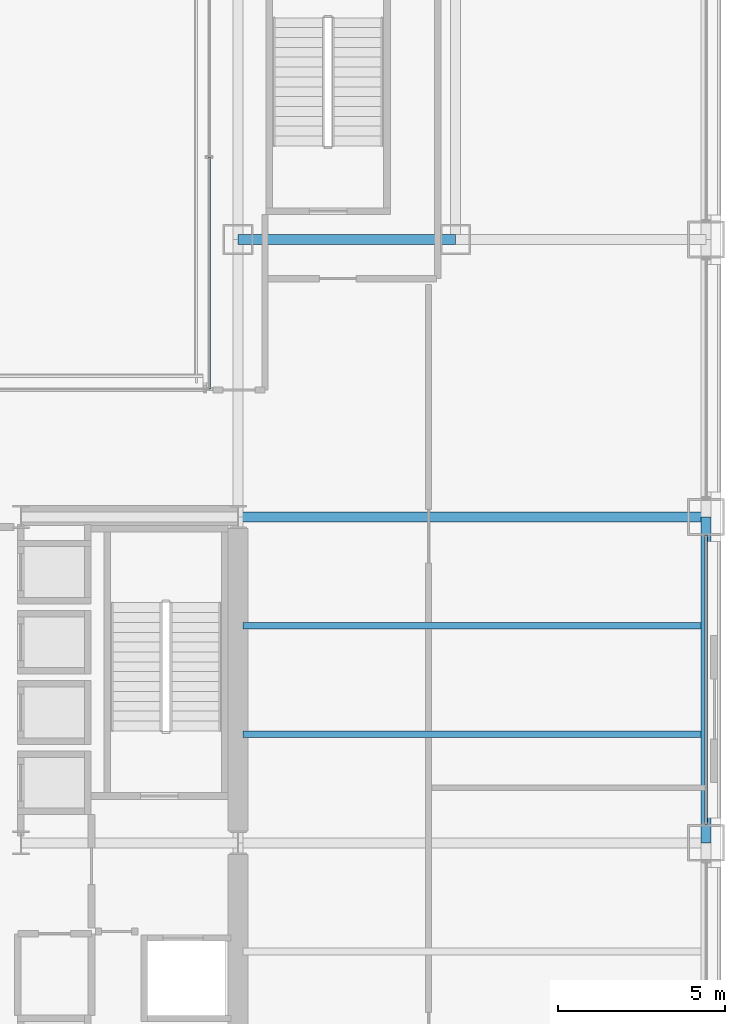
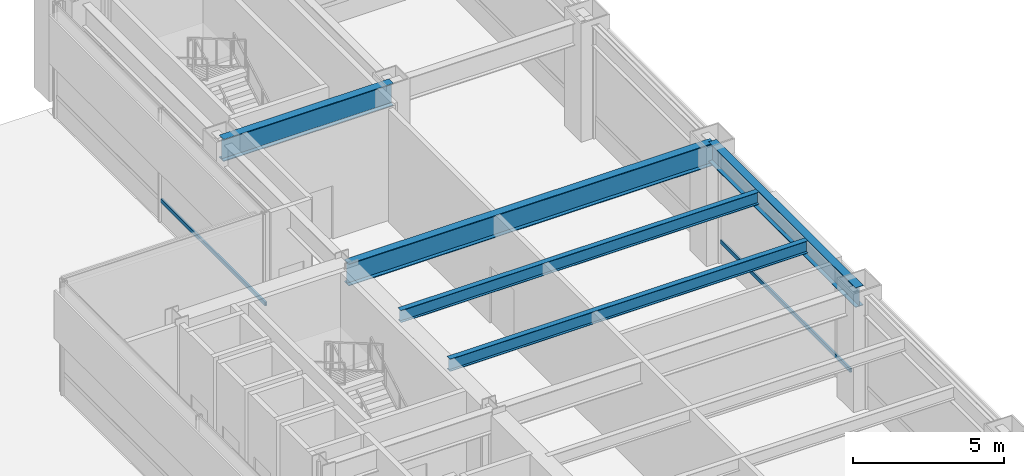
# One storey, part 18 of 37: 5 beams, 2 members, 2 elements without a shape of their own.
"""IFC4 building model written with IfcOpenShell, lengths in metres."""

from ifc_helpers import new_model, si_unit, direction, frame, origin, origin_2d, place, context, subcontext, project, spatial, hollow_rectangle, i_section, extrude, material, layer, layer_set, material_profile, profile_set, type_object, element, aggregate, save


model = new_model("IFC4")

# Units and contexts
model_context = context("Model", 3, precision=1e-05, world=origin(), true_north=direction((0.0, 1.0)))
body_context = subcontext(model_context, "Body", "Model", "MODEL_VIEW")
ifc_project = project(units=[si_unit("LENGTHUNIT", "METRE"), si_unit("AREAUNIT", "SQUARE_METRE"), si_unit("VOLUMEUNIT", "CUBIC_METRE"), si_unit("PLANEANGLEUNIT", "RADIAN"), si_unit("MASSUNIT", "GRAM", prefix="KILO")], contexts=[model_context])

# Site, building, storey
site_placement = place(None, origin())
site = spatial("IfcSite", under=ifc_project, at=site_placement, CompositionType="ELEMENT")
building_placement = place(site_placement, origin())
building = spatial("IfcBuilding", under=site, at=building_placement, Name="Brelmoor Portico Tower", CompositionType="ELEMENT")
storey_placement = place(building_placement, origin())
storey = spatial("IfcBuildingStorey", under=building, at=storey_placement, Name="L00", CompositionType="ELEMENT", Elevation=0.0)

# Beams
ifc_material_1 = material(Name="Steel Q355B", Category="steel")
ifc_material_profile_1 = material_profile(ifc_material_1, i_section(OverallWidth=0.199951171875, OverallDepth=0.5, WebThickness=0.010009765625, FlangeThickness=0.01611328125, at=origin_2d()), Name="HN 500x200x10x16")
ifc_profile_set_1 = profile_set([ifc_material_profile_1], Name="Steel Q355B")
beam_type_1 = type_object("IfcBeamType", Name="BM-JS-500", PredefinedType="JOIST", material=ifc_profile_set_1)
for number, where, z_axis, x_axis, name in (
    (1, (14.699951171875, 3.25, 4.330078125), (1.0, 0.0, 0.0), (0.0, 1.0, 0.0), "L00 Secondary Wing Joist JS-E04"),
    (2, (14.699951171875, 6.5, 4.330078125), (1.0, 0.0, 0.0), (0.0, 1.0, 0.0), "L00 Secondary Wing Joist JS-E05"),
):
    element("IfcBeam", number, at=place(storey_placement, frame(where, z_axis=z_axis, x_axis=x_axis)), inside=storey, type_object=beam_type_1, Name=name, PredefinedType="JOIST", context=body_context, shape_type="SweptSolid", body=[
        extrude(i_section(OverallWidth=0.199951171875, OverallDepth=0.5, WebThickness=0.010009765625, FlangeThickness=0.01611328125, at=origin_2d()), origin(), (0.0, 0.0, 1.0), 13.699951171875),
    ])
ifc_material_profile_2 = material_profile(ifc_material_1, i_section(OverallWidth=0.300048828125, OverallDepth=0.89990234375, WebThickness=0.01611328125, FlangeThickness=0.028076171875, at=origin_2d()), Name="HN 900x300x16x28")
ifc_profile_set_2 = profile_set([ifc_material_profile_2], Name="Steel Q355B")
beam_type_2 = type_object("IfcBeamType", Name="BM-PG-900", PredefinedType="BEAM", material=ifc_profile_set_2)
beam_1_placement = place(storey_placement, frame((14.550048828125, 9.75, 4.1298828125), z_axis=(1.0, 0.0, 0.0), x_axis=(0.0, 1.0, 0.0)))
element("IfcBeam", 3, at=beam_1_placement, inside=storey, type_object=beam_type_2, Name="L00 Primary Floor Girder PG-34", PredefinedType="BEAM", context=body_context, shape_type="SweptSolid", body=[
    extrude(i_section(OverallWidth=0.300048828125, OverallDepth=0.89990234375, WebThickness=0.01611328125, FlangeThickness=0.028076171875, at=origin_2d()), origin(), (0.0, 0.0, 1.0), 14.0),
])
beam_2_placement = place(storey_placement, frame((14.550048828125, 18.050048828125, 4.1298828125), z_axis=(1.0, 0.0, 0.0), x_axis=(0.0, 1.0, 0.0)))
element("IfcBeam", 4, at=beam_2_placement, inside=storey, type_object=beam_type_2, Name="L00 Primary Floor Girder PG-36", PredefinedType="BEAM", context=body_context, shape_type="SweptSolid", body=[
    extrude(i_section(OverallWidth=0.300048828125, OverallDepth=0.89990234375, WebThickness=0.01611328125, FlangeThickness=0.028076171875, at=origin_2d()), origin(), (0.0, 0.0, 1.0), 6.5),
])
ifc_material_profile_3 = material_profile(ifc_material_1, i_section(OverallWidth=0.300048828125, OverallDepth=0.800048828125, WebThickness=0.013916015625, FlangeThickness=0.02587890625, at=origin_2d()), Name="HN 800x300x14x26")
ifc_profile_set_3 = profile_set([ifc_material_profile_3], Name="Steel Q355B")
beam_type_3 = type_object("IfcBeamType", Name="BM-SP-800", PredefinedType="SPANDREL", material=ifc_profile_set_3)
beam_3_placement = place(storey_placement, frame((28.550048828125, 0.0, 4.179931640625), z_axis=(0.0, 1.0, 0.0), x_axis=(-1.0, 0.0, 0.0)))
element("IfcBeam", 5, at=beam_3_placement, inside=storey, type_object=beam_type_3, Name="L00 Perimeter Spandrel Beam SP-18", PredefinedType="SPANDREL", context=body_context, shape_type="SweptSolid", body=[
    extrude(i_section(OverallWidth=0.300048828125, OverallDepth=0.800048828125, WebThickness=0.013916015625, FlangeThickness=0.02587890625, at=origin_2d()), origin(), (0.0, 0.0, 1.0), 9.75),
])

# Curtain wall, member
ifc_material_2 = material(Name="Anodised Aluminium Alloy 6063-T6", Category="aluminium")
ifc_layer = layer(ifc_material_2, 0.179931640625)
ifc_layer_set = layer_set([ifc_layer], Name="Anodised Aluminium Alloy 6063-T6")
curtain_wall_type = type_object("IfcCurtainWallType", Name="CW-PODIUM-ARCH", PredefinedType="NOTDEFINED", material=ifc_layer_set)
curtain_wall_1_placement = place(storey_placement, origin())
curtain_wall_1 = element("IfcCurtainWall", 6, at=curtain_wall_1_placement, inside=storey, type_object=curtain_wall_type, Name="L00 Curtain Wall CW-L00-06-4", PredefinedType="NOTDEFINED")
ifc_material_profile_4 = material_profile(ifc_material_2, hollow_rectangle(XDim=0.070068359375, YDim=0.159912109375, WallThickness=0.00390625, at=origin_2d()), Name="ALU TRANSOM 70x160")
ifc_profile_set_4 = profile_set([ifc_material_profile_4], Name="Anodised Aluminium Alloy 6063-T6")
member_type = type_object("IfcMemberType", Name="MB-CW-TRAN-160", PredefinedType="USERDEFINED", material=ifc_profile_set_4)
member_1_placement = place(storey_placement, frame((28.550048828125, 0.56005859375, 0.85009765625), z_axis=(0.0, 1.0, 0.0), x_axis=(-1.0, 0.0, 0.0)))
member_1 = element("IfcMember", 7, at=member_1_placement, type_object=member_type, Name="CW-L00-06-4 Transom 1-00", ObjectType="TRANSOM", PredefinedType="USERDEFINED", context=body_context, shape_type="SweptSolid", body=[
    extrude(hollow_rectangle(XDim=0.070068359375, YDim=0.159912109375, WallThickness=0.00390625, at=origin_2d()), origin(), (0.0, 0.0, 1.0), 8.6298828125),
])
aggregate(curtain_wall_1, [member_1])

curtain_wall_2_placement = place(storey_placement, origin())
curtain_wall_2 = element("IfcCurtainWall", 8, at=curtain_wall_2_placement, inside=storey, type_object=curtain_wall_type, Name="L00 Curtain Wall CW-L00-10", PredefinedType="NOTDEFINED")
member_2_placement = place(storey_placement, frame((13.679931640625, 13.580078125, 0.85009765625), z_axis=(0.0, 1.0, 0.0), x_axis=(-1.0, 0.0, 0.0)))
member_2 = element("IfcMember", 9, at=member_2_placement, type_object=member_type, Name="CW-L00-10 Transom 1-00", ObjectType="TRANSOM", PredefinedType="USERDEFINED", context=body_context, shape_type="SweptSolid", body=[
    extrude(hollow_rectangle(XDim=0.070068359375, YDim=0.159912109375, WallThickness=0.00390625, at=origin_2d()), origin(), (0.0, 0.0, 1.0), 6.934814453125),
])
aggregate(curtain_wall_2, [member_2])

save(model, "model.ifc")
